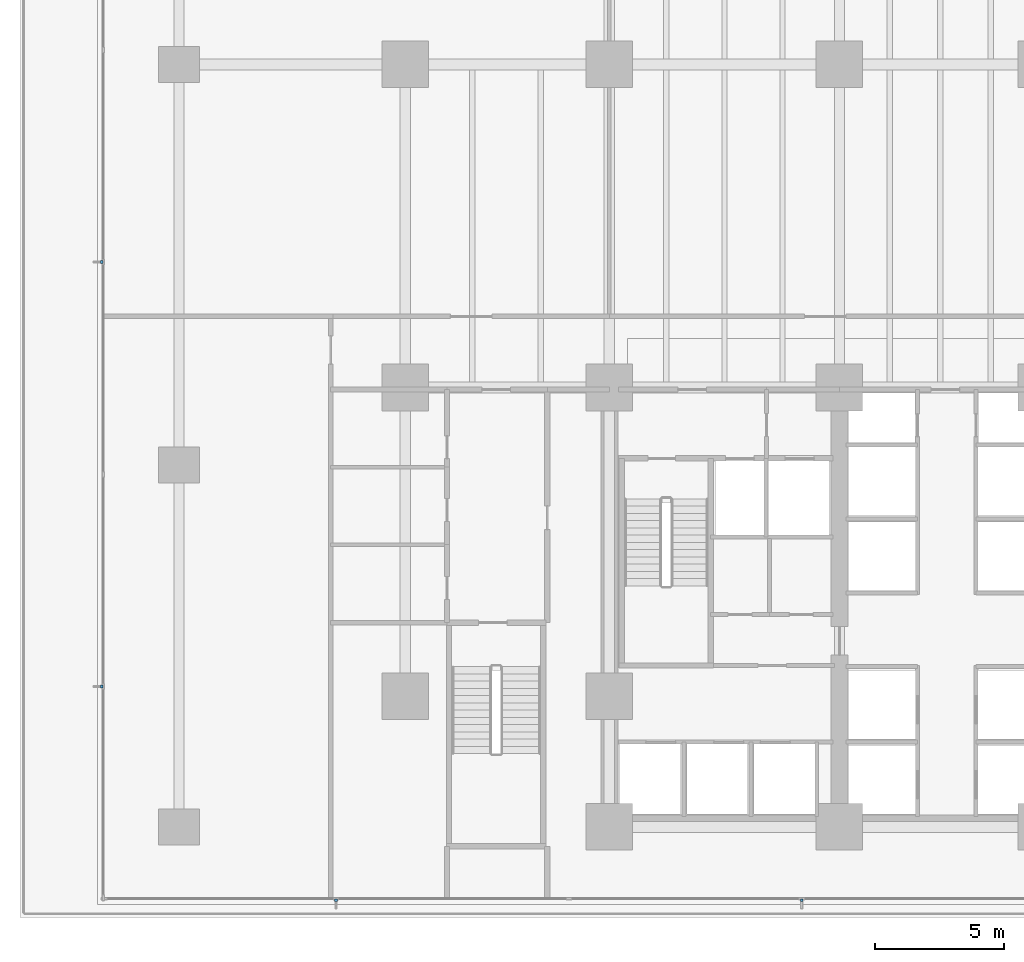
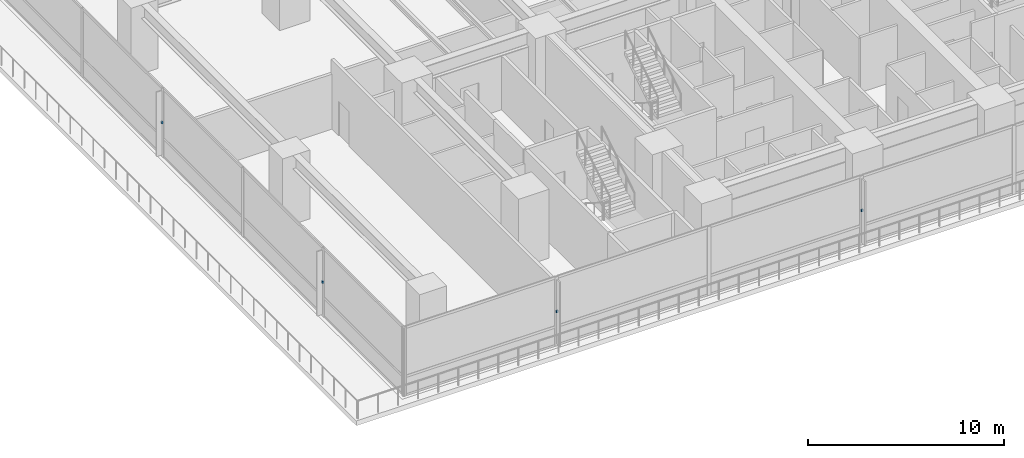
# One storey, part 14 of 28: 4 discrete accessories.
"""IFC4 building model written with IfcOpenShell, lengths in metres."""

from ifc_helpers import new_model, si_unit, direction, frame, origin, place, context, subcontext, project, spatial, polyline, outline, extrude, material, type_object, element, save


model = new_model("IFC4")

# Units and contexts
model_context = context("Model", 3, precision=1e-05, world=origin(), true_north=direction((0.0, 1.0)))
body_context = subcontext(model_context, "Body", "Model", "MODEL_VIEW")
ifc_project = project(units=[si_unit("LENGTHUNIT", "METRE"), si_unit("AREAUNIT", "SQUARE_METRE"), si_unit("VOLUMEUNIT", "CUBIC_METRE"), si_unit("PLANEANGLEUNIT", "RADIAN"), si_unit("MASSUNIT", "GRAM", prefix="KILO")], contexts=[model_context])

# Site, building, storey
site_placement = place(None, origin())
site = spatial("IfcSite", under=ifc_project, at=site_placement, CompositionType="ELEMENT")
building_placement = place(site_placement, origin())
building = spatial("IfcBuilding", under=site, at=building_placement, Name="Qalmaran Belvedere Hotel", CompositionType="ELEMENT")
storey_placement = place(building_placement, frame((0.0, 0.0, 10.0)))
storey = spatial("IfcBuildingStorey", under=building, at=storey_placement, Name="L02", CompositionType="ELEMENT", Elevation=10.0)

# Discrete accessories
ifc_material = material(Name="Stainless Steel 1.4401", Category="steel")
discrete_accessory_type = type_object("IfcDiscreteAccessoryType", Name="BRK-FIN-SS316", PredefinedType="BRACKET", material=ifc_material)
discrete_accessory_1_placement = place(storey_placement, frame((0.0, 0.0, 2.10009765625)))
element("IfcDiscreteAccessory", 1, at=discrete_accessory_1_placement, inside=storey, type_object=discrete_accessory_type, Name="L02 Fin Bracket 1", PredefinedType="BRACKET", context=body_context, shape_type="SweptSolid", body=[
    extrude(outline(polyline([(9.672607421875, 0.705078125), (9.672607421875, 0.607421875), (9.782470703125, 0.607421875), (9.782470703125, 0.705078125), (9.672607421875, 0.705078125)])), origin(), (0.0, 0.0, 1.0), 0.139892578125),
])
discrete_accessory_2_placement = place(storey_placement, frame((0.0, 0.0, 2.10009765625)))
element("IfcDiscreteAccessory", 2, at=discrete_accessory_2_placement, inside=storey, type_object=discrete_accessory_type, Name="L02 Fin Bracket 3", PredefinedType="BRACKET", context=body_context, shape_type="SweptSolid", body=[
    extrude(outline(polyline([(27.6875, 0.705078125), (27.6875, 0.607421875), (27.797607421875, 0.607421875), (27.797607421875, 0.705078125), (27.6875, 0.705078125)])), origin(), (0.0, 0.0, 1.0), 0.139892578125),
])
discrete_accessory_3_placement = place(storey_placement, frame((0.0, 0.0, 2.10009765625)))
element("IfcDiscreteAccessory", 3, at=discrete_accessory_3_placement, inside=storey, type_object=discrete_accessory_type, Name="L02 Fin Bracket 3", PredefinedType="BRACKET", context=body_context, shape_type="SweptSolid", body=[
    extrude(outline(polyline([(0.705078125, 25.405029296875), (0.607421875, 25.405029296875), (0.607421875, 25.294921875), (0.705078125, 25.294921875), (0.705078125, 25.405029296875)])), origin(), (0.0, 0.0, 1.0), 0.139892578125),
])
discrete_accessory_4_placement = place(storey_placement, frame((0.0, 0.0, 2.10009765625)))
element("IfcDiscreteAccessory", 4, at=discrete_accessory_4_placement, inside=storey, type_object=discrete_accessory_type, Name="L02 Fin Bracket 5", PredefinedType="BRACKET", context=body_context, shape_type="SweptSolid", body=[
    extrude(outline(polyline([(0.705078125, 8.985107421875), (0.607421875, 8.985107421875), (0.607421875, 8.875), (0.705078125, 8.875), (0.705078125, 8.985107421875)])), origin(), (0.0, 0.0, 1.0), 0.139892578125),
])

save(model, "model.ifc")
